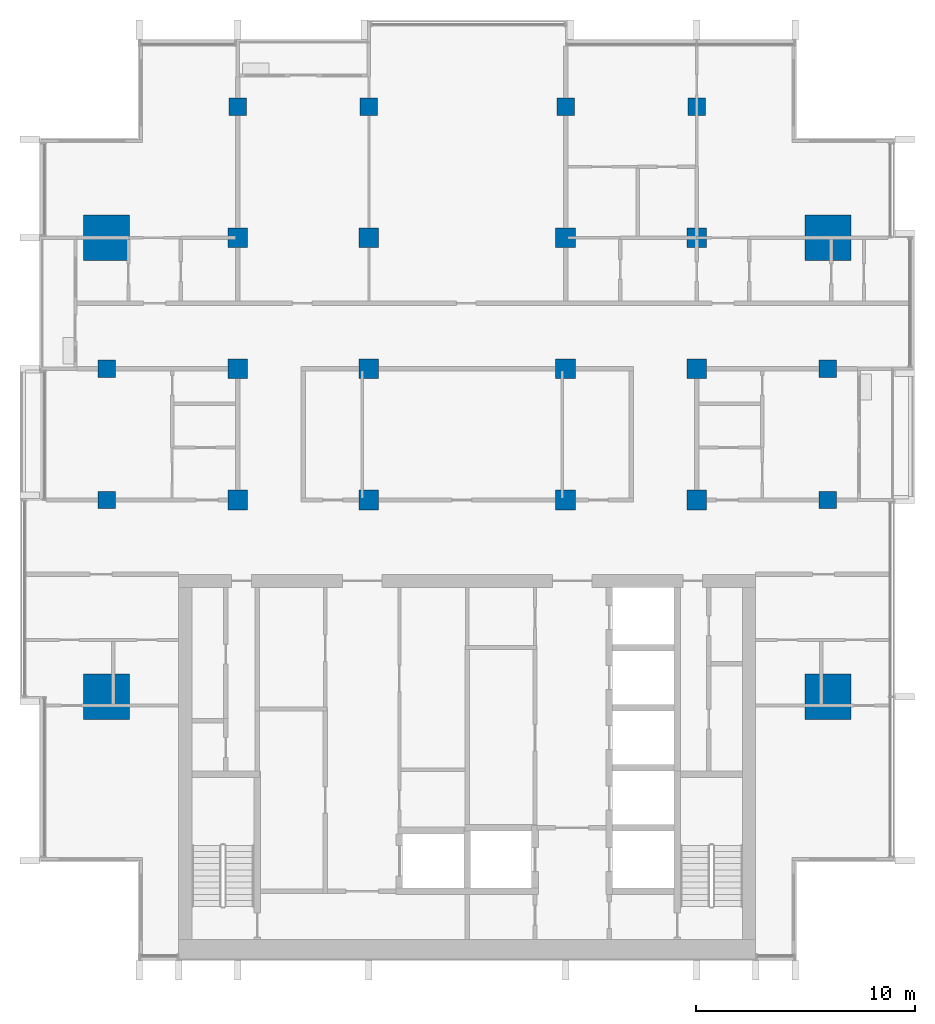
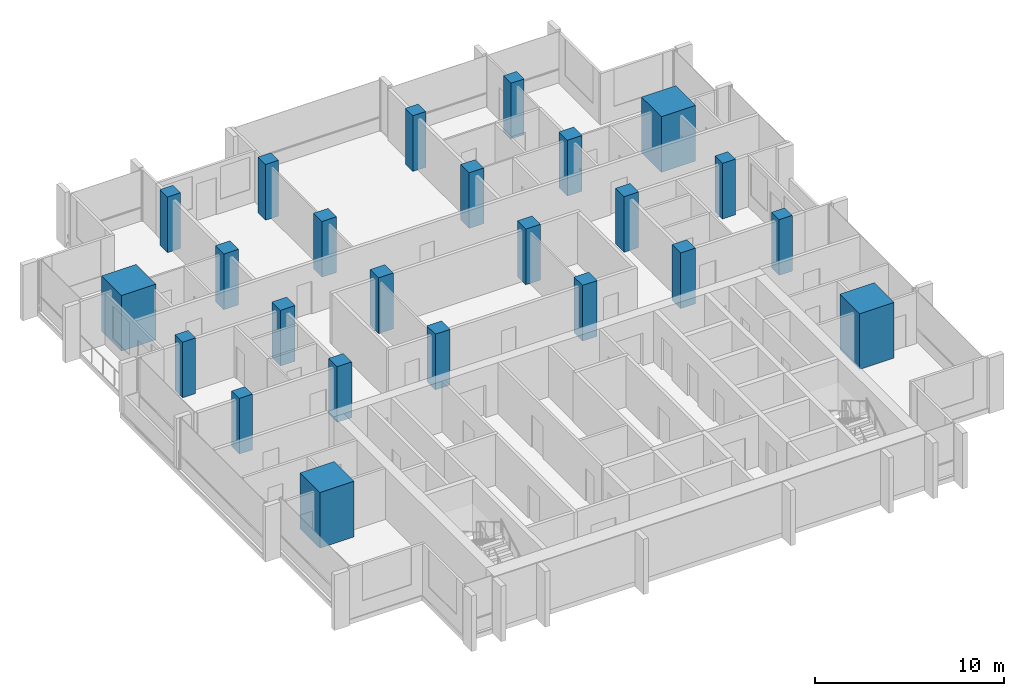
# One storey, part 1 of 16: 24 columns.
"""IFC4 building model written with IfcOpenShell, lengths in metres."""

from ifc_helpers import new_model, si_unit, direction, frame, origin, origin_2d, place, context, subcontext, project, spatial, rectangle, extrude, material, material_profile, profile_set, type_object, element, save


model = new_model("IFC4")

# Units and contexts
model_context = context("Model", 3, precision=1e-05, world=origin(), true_north=direction((0.0, 1.0)))
body_context = subcontext(model_context, "Body", "Model", "MODEL_VIEW")
ifc_project = project(units=[si_unit("LENGTHUNIT", "METRE"), si_unit("AREAUNIT", "SQUARE_METRE"), si_unit("VOLUMEUNIT", "CUBIC_METRE"), si_unit("PLANEANGLEUNIT", "RADIAN"), si_unit("MASSUNIT", "GRAM", prefix="KILO")], contexts=[model_context])

# Site, building, storey
site_placement = place(None, origin())
site = spatial("IfcSite", under=ifc_project, at=site_placement, CompositionType="ELEMENT")
building_placement = place(site_placement, origin())
building = spatial("IfcBuilding", under=site, at=building_placement, Name="Finial Court Residences", CompositionType="ELEMENT")
storey_placement = place(building_placement, frame((0.0, 0.0, 208.699951171875)))
storey = spatial("IfcBuildingStorey", under=building, at=storey_placement, Name="L52", CompositionType="ELEMENT", Elevation=208.699951171875)

# Columns
ifc_material = material(Name="Concrete C50/60", Category="concrete")
ifc_material_profile_1 = material_profile(ifc_material, rectangle(XDim=0.89990234375, YDim=0.89990234375, at=origin_2d()), Name="900x900")
ifc_profile_set_1 = profile_set([ifc_material_profile_1], Name="Concrete C50/60")
column_type_1 = type_object("IfcColumnType", Name="Interior column 900x900 Concrete C50/60", PredefinedType="COLUMN", material=ifc_profile_set_1)
for number, where, z_axis, x_axis, name in (
    (1, (-10.5, -4.5, 0.0), (0.0, 0.0, 1.0), (1.0, 0.0, 0.0), "S:COL:L52:D4"),
    (2, (-10.5, 1.5, 0.0), (0.0, 0.0, 1.0), (1.0, 0.0, 0.0), "S:COL:L52:D5"),
    (3, (-10.5, 7.5, 0.0), (0.0, 0.0, 1.0), (1.0, 0.0, 0.0), "S:COL:L52:D6"),
    (4, (-4.5, -4.5, 0.0), (0.0, 0.0, 1.0), (1.0, 0.0, 0.0), "S:COL:L52:E4"),
    (5, (-4.5, 1.5, 0.0), (0.0, 0.0, 1.0), (1.0, 0.0, 0.0), "S:COL:L52:E5"),
    (6, (-4.5, 7.5, 0.0), (0.0, 0.0, 1.0), (1.0, 0.0, 0.0), "S:COL:L52:E6"),
    (7, (4.5, -4.5, 0.0), (0.0, 0.0, 1.0), (1.0, 0.0, 0.0), "S:COL:L52:F4"),
    (8, (4.5, 1.5, 0.0), (0.0, 0.0, 1.0), (1.0, 0.0, 0.0), "S:COL:L52:F5"),
    (9, (4.5, 7.5, 0.0), (0.0, 0.0, 1.0), (1.0, 0.0, 0.0), "S:COL:L52:F6"),
    (10, (10.5, -4.5, 0.0), (0.0, 0.0, 1.0), (1.0, 0.0, 0.0), "S:COL:L52:G4"),
    (11, (10.5, 1.5, 0.0), (0.0, 0.0, 1.0), (1.0, 0.0, 0.0), "S:COL:L52:G5"),
    (12, (10.5, 7.5, 0.0), (0.0, 0.0, 1.0), (1.0, 0.0, 0.0), "S:COL:L52:G6"),
):
    element("IfcColumn", number, at=place(storey_placement, frame(where, z_axis=z_axis, x_axis=x_axis)), inside=storey, type_object=column_type_1, Name=name, PredefinedType="COLUMN", context=body_context, shape_type="SweptSolid", body=[
        extrude(rectangle(XDim=0.89990234375, YDim=0.89990234375, at=origin_2d()), origin(), (0.0, 0.0, 1.0), 3.60009765625),
    ])
ifc_material_profile_2 = material_profile(ifc_material, rectangle(XDim=2.10009765625, YDim=2.10009765625, at=origin_2d()), Name="2100x2100")
ifc_profile_set_2 = profile_set([ifc_material_profile_2], Name="Concrete C50/60")
column_type_2 = type_object("IfcColumnType", Name="Mega column 2100x2100 Concrete C50/60", PredefinedType="COLUMN", material=ifc_profile_set_2)
for number, where, z_axis, x_axis, name in (
    (13, (-16.5, -13.5, 0.0), (0.0, 0.0, 1.0), (1.0, 0.0, 0.0), "S:COL:L52:C3"),
    (14, (-16.5, 7.5, 0.0), (0.0, 0.0, 1.0), (1.0, 0.0, 0.0), "S:COL:L52:C6"),
    (15, (16.5, -13.5, 0.0), (0.0, 0.0, 1.0), (1.0, 0.0, 0.0), "S:COL:L52:H3"),
    (16, (16.5, 7.5, 0.0), (0.0, 0.0, 1.0), (1.0, 0.0, 0.0), "S:COL:L52:H6"),
):
    element("IfcColumn", number, at=place(storey_placement, frame(where, z_axis=z_axis, x_axis=x_axis)), inside=storey, type_object=column_type_2, Name=name, PredefinedType="COLUMN", context=body_context, shape_type="SweptSolid", body=[
        extrude(rectangle(XDim=2.10009765625, YDim=2.10009765625, at=origin_2d()), origin(), (0.0, 0.0, 1.0), 3.60009765625),
    ])
ifc_material_profile_3 = material_profile(ifc_material, rectangle(XDim=0.800048828125, YDim=0.800048828125, at=origin_2d()), Name="800x800")
ifc_profile_set_3 = profile_set([ifc_material_profile_3], Name="Concrete C50/60")
column_type_3 = type_object("IfcColumnType", Name="Perimeter column 800x800 Concrete C50/60", PredefinedType="COLUMN", material=ifc_profile_set_3)
for number, where, z_axis, x_axis, name in (
    (17, (-16.5, -4.5, 0.0), (0.0, 0.0, 1.0), (1.0, 0.0, 0.0), "S:COL:L52:C4"),
    (18, (-16.5, 1.5, 0.0), (0.0, 0.0, 1.0), (1.0, 0.0, 0.0), "S:COL:L52:C5"),
    (19, (-10.5, 13.5, 0.0), (0.0, 0.0, 1.0), (1.0, 0.0, 0.0), "S:COL:L52:D7"),
    (20, (-4.5, 13.5, 0.0), (0.0, 0.0, 1.0), (1.0, 0.0, 0.0), "S:COL:L52:E7"),
    (21, (4.5, 13.5, 0.0), (0.0, 0.0, 1.0), (1.0, 0.0, 0.0), "S:COL:L52:F7"),
    (22, (10.5, 13.5, 0.0), (0.0, 0.0, 1.0), (1.0, 0.0, 0.0), "S:COL:L52:G7"),
    (23, (16.5, -4.5, 0.0), (0.0, 0.0, 1.0), (1.0, 0.0, 0.0), "S:COL:L52:H4"),
    (24, (16.5, 1.5, 0.0), (0.0, 0.0, 1.0), (1.0, 0.0, 0.0), "S:COL:L52:H5"),
):
    element("IfcColumn", number, at=place(storey_placement, frame(where, z_axis=z_axis, x_axis=x_axis)), inside=storey, type_object=column_type_3, Name=name, PredefinedType="COLUMN", context=body_context, shape_type="SweptSolid", body=[
        extrude(rectangle(XDim=0.800048828125, YDim=0.800048828125, at=origin_2d()), origin(), (0.0, 0.0, 1.0), 3.60009765625),
    ])

save(model, "model.ifc")
